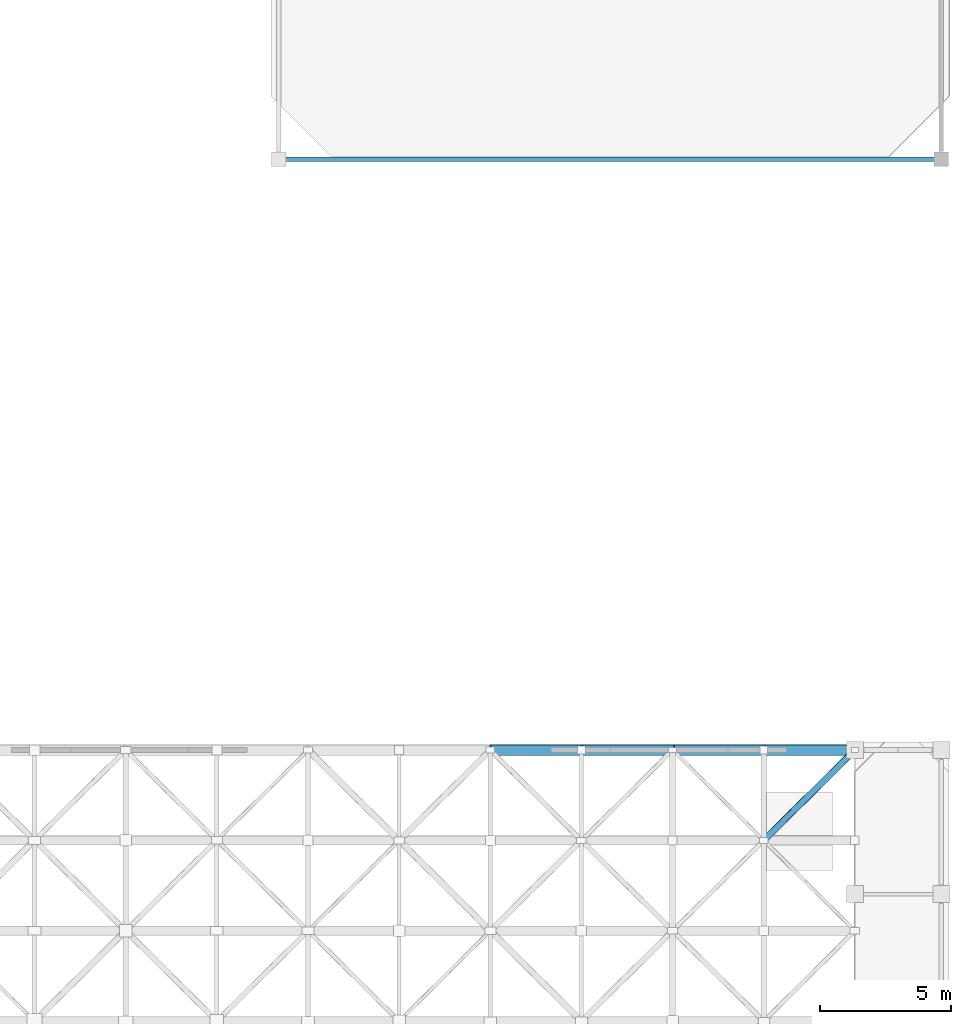
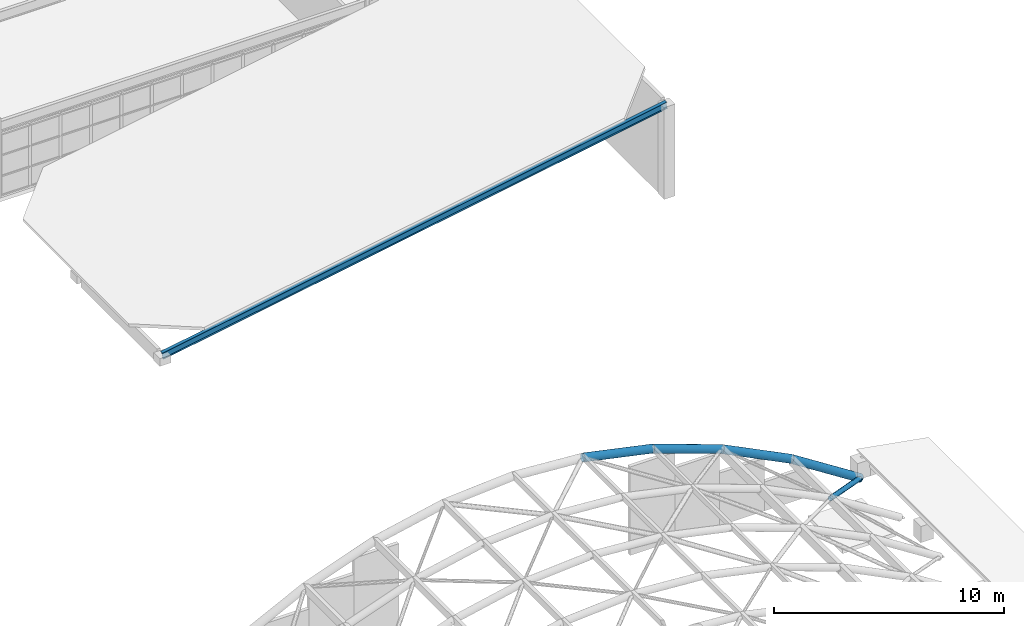
# One storey, part 25 of 52: 6 members.
"""IFC4 building model written with IfcOpenShell, lengths in metres."""

from ifc_helpers import new_model, si_unit, direction, frame, origin, origin_2d, place, context, subcontext, project, spatial, hollow_circle, i_section, extrude, material, material_profile, profile_set, type_object, element, save


model = new_model("IFC4")

# Units and contexts
model_context = context("Model", 3, precision=1e-05, world=origin(), true_north=direction((0.0, 1.0)))
body_context = subcontext(model_context, "Body", "Model", "MODEL_VIEW")
ifc_project = project(units=[si_unit("LENGTHUNIT", "METRE"), si_unit("AREAUNIT", "SQUARE_METRE"), si_unit("VOLUMEUNIT", "CUBIC_METRE"), si_unit("PLANEANGLEUNIT", "RADIAN"), si_unit("MASSUNIT", "GRAM", prefix="KILO")], contexts=[model_context])

# Site, building, storey
site_placement = place(None, origin())
site = spatial("IfcSite", under=ifc_project, at=site_placement, CompositionType="ELEMENT")
building_placement = place(site_placement, origin())
building = spatial("IfcBuilding", under=site, at=building_placement, Name="Candilejo Ridge Gondola Terminal", CompositionType="ELEMENT")
storey_placement = place(building_placement, frame((0.0, 0.0, 18.60009765625)))
storey = spatial("IfcBuildingStorey", under=building, at=storey_placement, Name="L04", CompositionType="ELEMENT", Elevation=18.60009765625)

# Members
ifc_material_1 = material(Name="Steel ASTM A500 Grade C", Category="steel")
ifc_material_profile_1 = material_profile(ifc_material_1, hollow_circle(Radius=0.122314453125, WallThickness=0.0087890625, at=origin_2d()))
ifc_profile_set_1 = profile_set([ifc_material_profile_1], Name="Steel ASTM A500 Grade C")
member_type_1 = type_object("IfcMemberType", Name="STR-BRC-CHS244", PredefinedType="BRACE", material=ifc_profile_set_1)
member_1_placement = place(storey_placement, frame((168.52001953125, 44.25, 2.031982421875), z_axis=(0.646271368564, 0.640694591636, -0.414540418323), x_axis=(-0.704036083414, 0.710164201612, 0.0)))
element("IfcMember", 1, at=member_1_placement, inside=storey, type_object=member_type_1, Name="Barrel diagrid diagonal 12-10", PredefinedType="BRACE", context=body_context, shape_type="SweptSolid", body=[
    extrude(hollow_circle(Radius=0.122314453125, WallThickness=0.0087890625, at=origin_2d()), origin(), (0.0, 0.0, 1.0), 5.384765625),
])
ifc_material_2 = material(Name="Steel ASTM A500 Grade C", Category="steel")
ifc_material_profile_2 = material_profile(ifc_material_2, hollow_circle(Radius=0.203125, WallThickness=0.0126953125, at=origin_2d()))
ifc_profile_set_2 = profile_set([ifc_material_profile_2], Name="Steel ASTM A500 Grade C")
member_type_2 = type_object("IfcMemberType", Name="STR-RAF-CHS406", PredefinedType="RAFTER", material=ifc_profile_set_2)
member_2_placement = place(storey_placement, frame((158.080078125, 47.699951171875, 5.751953125), z_axis=(0.977892680686, 0.0, -0.209107400781), x_axis=(0.0, 1.0, 0.0)))
element("IfcMember", 2, at=member_2_placement, inside=storey, type_object=member_type_2, Name="Barrel diagrid arch rafter F13-07", PredefinedType="RAFTER", context=body_context, shape_type="SweptSolid", body=[
    extrude(hollow_circle(Radius=0.203125, WallThickness=0.0126953125, at=origin_2d()), origin(), (0.0, 0.0, 1.0), 3.55859375),
])
member_3_placement = place(storey_placement, frame((161.56005859375, 47.699951171875, 5.0078125), z_axis=(0.94198686652, 0.0, -0.335649733061), x_axis=(0.0, 1.0, 0.0)))
element("IfcMember", 3, at=member_3_placement, inside=storey, type_object=member_type_2, Name="Barrel diagrid arch rafter F13-08", PredefinedType="RAFTER", context=body_context, shape_type="SweptSolid", body=[
    extrude(hollow_circle(Radius=0.203125, WallThickness=0.0126953125, at=origin_2d()), origin(), (0.0, 0.0, 1.0), 3.6943359375),
])
member_4_placement = place(storey_placement, frame((165.0400390625, 47.699951171875, 3.767822265625), z_axis=(0.894853681561, 0.0, -0.446359595615), x_axis=(0.0, 1.0, 0.0)))
element("IfcMember", 4, at=member_4_placement, inside=storey, type_object=member_type_2, Name="Barrel diagrid arch rafter F13-09", PredefinedType="RAFTER", context=body_context, shape_type="SweptSolid", body=[
    extrude(hollow_circle(Radius=0.203125, WallThickness=0.0126953125, at=origin_2d()), origin(), (0.0, 0.0, 1.0), 3.888916015625),
])
member_5_placement = place(storey_placement, frame((168.52001953125, 47.699951171875, 2.031982421875), z_axis=(0.841722944164, 0.0, -0.539909701031), x_axis=(0.0, 1.0, 0.0)))
element("IfcMember", 5, at=member_5_placement, inside=storey, type_object=member_type_2, Name="Barrel diagrid arch rafter F13-10", PredefinedType="RAFTER", context=body_context, shape_type="SweptSolid", body=[
    extrude(hollow_circle(Radius=0.203125, WallThickness=0.0126953125, at=origin_2d()), origin(), (0.0, 0.0, 1.0), 4.13427734375),
])
ifc_material_3 = material(Name="Steel ASTM A992 Grade 50", Category="steel")
ifc_material_profile_3 = material_profile(ifc_material_3, i_section(OverallWidth=0.1708984375, OverallDepth=0.35498046875, WebThickness=0.007080078125, FlangeThickness=0.01171875, at=origin_2d()))
ifc_profile_set_3 = profile_set([ifc_material_profile_3], Name="Steel ASTM A992 Grade 50")
member_type_3 = type_object("IfcMemberType", Name="STR-RAF-W360", PredefinedType="RAFTER", material=ifc_profile_set_3)
member_6_placement = place(storey_placement, frame((150.0, 70.25, 0.327392578125), z_axis=(0.984807084557, 0.0, 0.17365196862), x_axis=(0.0, 1.0, 0.0)))
element("IfcMember", 6, at=member_6_placement, inside=storey, type_object=member_type_3, Name="Shed roof rafter RF-V5-MID1-01", PredefinedType="RAFTER", context=body_context, shape_type="SweptSolid", body=[
    extrude(i_section(OverallWidth=0.1708984375, OverallDepth=0.35498046875, WebThickness=0.007080078125, FlangeThickness=0.01171875, at=origin_2d()), origin(), (0.0, 0.0, 1.0), 25.6904296875),
])

save(model, "model.ifc")
